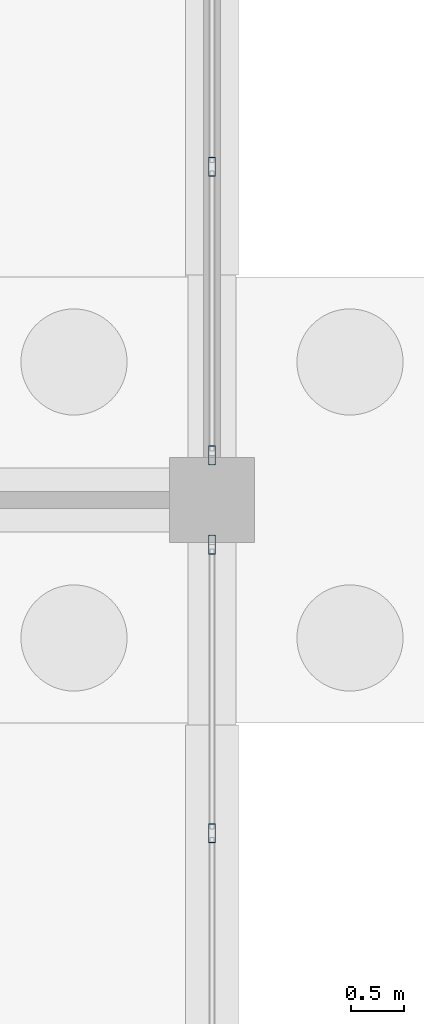
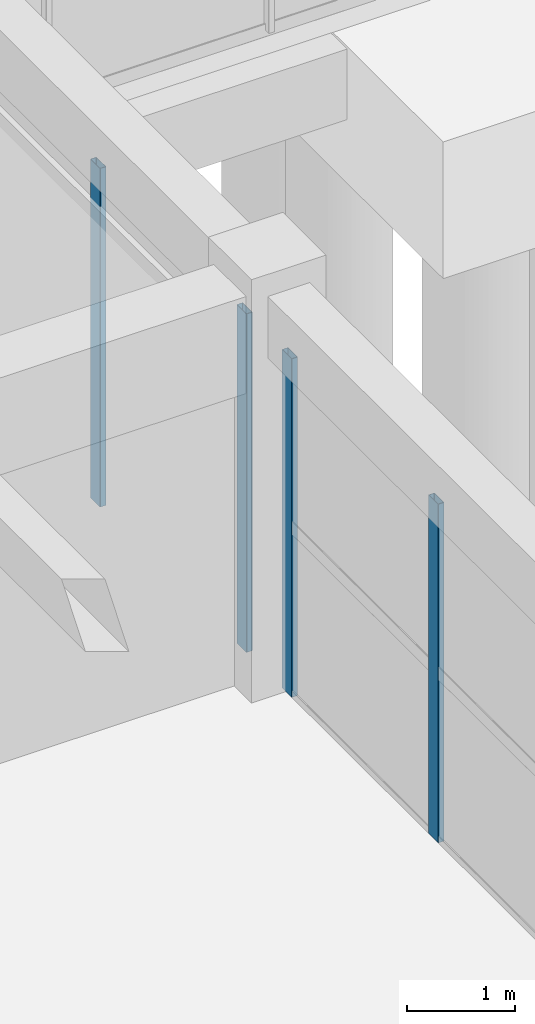
# One storey, part 35 of 147: 4 members, 2 elements without a shape of their own.
"""IFC4 building model written with IfcOpenShell, lengths in metres."""

import ifcopenshell
import ifcopenshell.guid

model = None  # the IFC model being written
_history = None  # IfcOwnerHistory: only IFC2X3 demands one
_inside = {}  # id of a spatial element -> (the spatial element, [elements in it])
_under = {}  # id of a project, library or spatial element -> (it, [spatial elements below it])
_declared = {}  # id of a project -> (the project, [libraries it declares])
_typed = {}  # id of a type object -> (the type object, [elements of that type])
_made_of = {}  # id of a material, layer set ... -> (it, [elements and type objects made of it])


def new_model(schema):
    """Start an empty IFC model of exactly this schema.

    Asked for "IFC4X3", IfcOpenShell would pick the latest addendum, in which some entities
    have other attributes; the version numbers below select the first issue.
    IFC2X3 requires an IfcOwnerHistory on every rooted entity: one is made here for all.
    """
    global model, _history
    if schema == "IFC4X3":
        model = ifcopenshell.file(schema_version=(4, 3, 0, 0))
    else:
        model = ifcopenshell.file(schema=schema)
    _inside.clear()
    _under.clear()
    _declared.clear()
    _typed.clear()
    _made_of.clear()
    _history = None
    if model.schema == "IFC2X3":
        org = make("IfcOrganization", Name="unknown")
        user = make(
            "IfcPersonAndOrganization",
            ThePerson=make("IfcPerson", FamilyName="unknown"),
            TheOrganization=org,
        )
        app = make(
            "IfcApplication",
            ApplicationDeveloper=org,
            Version="unknown",
            ApplicationFullName="unknown",
            ApplicationIdentifier="unknown",
        )
        _history = make(
            "IfcOwnerHistory",
            OwningUser=user,
            OwningApplication=app,
            ChangeAction="ADDED",
            CreationDate=0,
        )
    return model


def make(cls, **values):
    """One entity of the class cls with the attributes given. An attribute that is None is left unset."""
    return model.create_entity(
        cls, **{name: value for name, value in values.items() if value is not None}
    )


def rooted(cls, **values):
    """An entity with a GlobalId (a new one), such as an element, a storey or a relation."""
    return make(cls, GlobalId=ifcopenshell.guid.new(), OwnerHistory=_history, **values)


def si_unit(unit_type, name, prefix=None):
    """IfcSIUnit, for example si_unit("LENGTHUNIT", "METRE", prefix="MILLI")."""
    return make("IfcSIUnit", UnitType=unit_type, Prefix=prefix, Name=name)


def assignment(units):
    """IfcUnitAssignment: the units of a project."""
    return None if units is None else make("IfcUnitAssignment", Units=units)


def point(xyz):
    """IfcCartesianPoint."""
    return None if xyz is None else make("IfcCartesianPoint", Coordinates=xyz)


def direction(xyz):
    """IfcDirection."""
    return None if xyz is None else make("IfcDirection", DirectionRatios=xyz)


def frame(location, z_axis=None, x_axis=None):
    """IfcAxis2Placement3D, a coordinate frame: its origin and axes. An axis left out is left unset."""
    return make(
        "IfcAxis2Placement3D",
        Location=point(location),
        Axis=direction(z_axis),
        RefDirection=direction(x_axis),
    )


def frame_2d(location, x_axis=None):
    """IfcAxis2Placement2D, a coordinate frame in the plane: its origin and x axis."""
    return make(
        "IfcAxis2Placement2D", Location=point(location), RefDirection=direction(x_axis)
    )


def origin():
    """The frame at (0, 0, 0) with its axes left unset."""
    return frame((0.0, 0.0, 0.0))


def origin_2d():
    """The frame at (0, 0) in the plane with its x axis left unset."""
    return frame_2d((0.0, 0.0))


def place(relative_to, where):
    """IfcLocalPlacement: puts the frame where relative to a parent placement (None: the world)."""
    return make(
        "IfcLocalPlacement", PlacementRelTo=relative_to, RelativePlacement=where
    )


def context(
    kind, dimensions, precision=None, world=None, true_north=None, identifier=None
):
    """IfcGeometricRepresentationContext, for example the 3D "Model" context."""
    return make(
        "IfcGeometricRepresentationContext",
        ContextIdentifier=identifier,
        ContextType=kind,
        CoordinateSpaceDimension=dimensions,
        Precision=precision,
        WorldCoordinateSystem=world,
        TrueNorth=true_north,
    )


def subcontext(parent, identifier, kind, view, scale=None):
    """IfcGeometricRepresentationSubContext, for example "Body" below "Model"."""
    return make(
        "IfcGeometricRepresentationSubContext",
        ContextIdentifier=identifier,
        ContextType=kind,
        ParentContext=parent,
        TargetScale=scale,
        TargetView=view,
    )


def project(units=None, contexts=None):
    """IfcProject with its units and contexts."""
    return rooted(
        "IfcProject",
        Name="project",
        RepresentationContexts=contexts,
        UnitsInContext=assignment(units),
    )


def spatial(cls, under=None, at=None, **own):
    """A site, building, storey or space (cls), placed at a placement, below another one or the project."""
    s = rooted(cls, ObjectPlacement=at, **own)
    if under is not None:
        _under.setdefault(under.id(), (under, []))[1].append(s)
    return s


def profile(cls, at=None, kind="AREA", **sizes):
    """A parametric profile (cls). Its sizes go by their IFC names, for example OverallWidth=200.0."""
    return make(cls, ProfileType=kind, Position=at, **sizes)


def hollow_rectangle(**sizes):
    """IfcRectangleHollowProfileDef."""
    return profile("IfcRectangleHollowProfileDef", **sizes)


def extrude(swept, where, along, depth):
    """IfcExtrudedAreaSolid: the profile swept, set in the frame where, extruded along a direction by depth."""
    return make(
        "IfcExtrudedAreaSolid",
        SweptArea=swept,
        Position=where,
        ExtrudedDirection=direction(along),
        Depth=depth,
    )


def shape(context_of_items, identifier, shape_type, items):
    """IfcShapeRepresentation: the items that make up one representation, for example the "Body"."""
    return make(
        "IfcShapeRepresentation",
        ContextOfItems=context_of_items,
        RepresentationIdentifier=identifier,
        RepresentationType=shape_type,
        Items=items,
    )


def material(Name=None, Category=None):
    """IfcMaterial."""
    return make("IfcMaterial", Name=Name, Category=Category)


def material_profile(
    of_material, cross_section, Name=None, Category=None, Priority=None
):
    """IfcMaterialProfile: a cross section and its material."""
    return make(
        "IfcMaterialProfile",
        Name=Name,
        Material=of_material,
        Profile=cross_section,
        Priority=Priority,
        Category=Category,
    )


def profile_set(profiles, Name=None, composite=None):
    """IfcMaterialProfileSet."""
    return make(
        "IfcMaterialProfileSet",
        Name=Name,
        MaterialProfiles=profiles,
        CompositeProfile=composite,
    )


def made_of(thing, what):
    """Note that an element or type object is made of a material, layer set ...; save() writes the relation."""
    if what is not None:
        _made_of.setdefault(what.id(), (what, []))[1].append(thing)
    return thing


def type_object(cls, material=None, **own):
    """A type object (cls), such as IfcWallType, which elements share."""
    return made_of(rooted(cls, **own), material)


def element(
    cls,
    number,
    at=None,
    inside=None,
    cuts=None,
    type_object=None,
    material=None,
    context=None,
    identifier="Body",
    shape_type=None,
    held_by="IfcProductDefinitionShape",
    body=None,
    shapes=None,
    **own,
):
    """One element of the class cls, such as IfcWall. Its Tag is "e" and its number.

    at: its placement. inside: the storey or other place that contains it. cuts: it is an
    opening in that element (IfcRelVoidsElement). A single representation is given by context,
    identifier, shape_type and body (its items); several are given by shapes. held_by: the class
    of the entity that holds the representations. save() writes the other relations.
    """
    e = rooted(cls, Tag="e%d" % number, ObjectPlacement=at, **own)
    if body is not None:
        shapes = [shape(context, identifier, shape_type, body)]
    if shapes is not None:
        e.Representation = make(held_by, Representations=shapes)
    if inside is not None:
        _inside.setdefault(inside.id(), (inside, []))[1].append(e)
    if cuts is not None:
        rooted(
            "IfcRelVoidsElement", RelatingBuildingElement=cuts, RelatedOpeningElement=e
        )
    if type_object is not None:
        _typed.setdefault(type_object.id(), (type_object, []))[1].append(e)
    return made_of(e, material)


def aggregate(whole, parts):
    """IfcRelAggregates: a whole, such as a stair, and the parts it consists of."""
    return rooted("IfcRelAggregates", RelatingObject=whole, RelatedObjects=parts)


def save(model, path):
    """Write the relations noted so far, then the file.

    IfcRelAggregates (storeys below a building ...), IfcRelContainedInSpatialStructure (elements
    in a storey), IfcRelDefinesByType, IfcRelAssociatesMaterial and IfcRelDeclares: one each for
    every whole, place, type object, material and project.
    """
    for whole, parts in _under.values():
        aggregate(whole, parts)
    for where, things in _inside.values():
        rooted(
            "IfcRelContainedInSpatialStructure",
            RelatedElements=things,
            RelatingStructure=where,
        )
    for kind, things in _typed.values():
        rooted("IfcRelDefinesByType", RelatedObjects=things, RelatingType=kind)
    for what, things in _made_of.values():
        rooted("IfcRelAssociatesMaterial", RelatedObjects=things, RelatingMaterial=what)
    for by, libraries in _declared.values():
        rooted("IfcRelDeclares", RelatingContext=by, RelatedDefinitions=libraries)
    model.write(path)


model = new_model("IFC4")

# Units and contexts
model_context = context("Model", 3, precision=1e-05, world=origin(), true_north=direction((0.0, 1.0)))
body_context = subcontext(model_context, "Body", "Model", "MODEL_VIEW")
ifc_project = project(units=[si_unit("LENGTHUNIT", "METRE"), si_unit("AREAUNIT", "SQUARE_METRE"), si_unit("VOLUMEUNIT", "CUBIC_METRE"), si_unit("PLANEANGLEUNIT", "RADIAN"), si_unit("MASSUNIT", "GRAM", prefix="KILO")], contexts=[model_context])

# Site, building, storey
site_placement = place(None, origin())
site = spatial("IfcSite", under=ifc_project, at=site_placement, CompositionType="ELEMENT")
building_placement = place(site_placement, origin())
building = spatial("IfcBuilding", under=site, at=building_placement, Name="Varnabhumi Central Station", CompositionType="ELEMENT")
storey_placement = place(building_placement, origin())
storey = spatial("IfcBuildingStorey", under=building, at=storey_placement, Name="L00", CompositionType="ELEMENT", Elevation=0.0)

# Curtain wall, members
ifc_material = material(Name="Anodised aluminium 6063-T6", Category="aluminium")
curtain_wall_type = type_object("IfcCurtainWallType", Name="CW-PATIO-LOGGIA-L0", PredefinedType="NOTDEFINED", material=ifc_material)
curtain_wall_1_placement = place(storey_placement, origin())
curtain_wall_1 = element("IfcCurtainWall", 1, at=curtain_wall_1_placement, inside=storey, type_object=curtain_wall_type, Name="Curtain Wall CW-SP0E1", PredefinedType="NOTDEFINED")
ifc_material_profile = material_profile(ifc_material, hollow_rectangle(XDim=0.06494140625, YDim=0.179931640625, WallThickness=0.00390625, InnerFilletRadius=0.001953125, OuterFilletRadius=0.006103515625, at=origin_2d()), Name="Anodised aluminium 6063-T6", Category="aluminium")
ifc_profile_set = profile_set([ifc_material_profile], Name="Anodised aluminium 6063-T6")
member_type = type_object("IfcMemberType", Name="CW-MUL-180", PredefinedType="MULLION", material=ifc_profile_set)
member_1_placement = place(storey_placement, frame((112.0, 14.860107421875, 0.0), z_axis=(0.0, 0.0, 1.0), x_axis=(1.0, 0.0, 0.0)))
member_1 = element("IfcMember", 2, at=member_1_placement, type_object=member_type, Name="Curtain Wall Mullion CW-SP0E1-M3", PredefinedType="MULLION", context=body_context, shape_type="SweptSolid", body=[
    extrude(hollow_rectangle(XDim=0.06494140625, YDim=0.179931640625, WallThickness=0.00390625, InnerFilletRadius=0.001953125, OuterFilletRadius=0.006103515625, at=origin_2d()), origin(), (0.0, 0.0, 1.0), 3.840087890625),
])
member_2_placement = place(storey_placement, frame((112.0, 17.580078125, 0.0), z_axis=(0.0, 0.0, 1.0), x_axis=(1.0, 0.0, 0.0)))
member_2 = element("IfcMember", 3, at=member_2_placement, type_object=member_type, Name="Curtain Wall Mullion CW-SP0E1-M4", PredefinedType="MULLION", context=body_context, shape_type="SweptSolid", body=[
    extrude(hollow_rectangle(XDim=0.06494140625, YDim=0.179931640625, WallThickness=0.00390625, InnerFilletRadius=0.001953125, OuterFilletRadius=0.006103515625, at=origin_2d()), origin(), (0.0, 0.0, 1.0), 3.840087890625),
])
aggregate(curtain_wall_1, [member_1, member_2])

curtain_wall_2_placement = place(storey_placement, origin())
curtain_wall_2 = element("IfcCurtainWall", 4, at=curtain_wall_2_placement, inside=storey, type_object=curtain_wall_type, Name="Curtain Wall CW-SP0E2", PredefinedType="NOTDEFINED")
member_3_placement = place(storey_placement, frame((112.0, 18.419921875, 0.0), z_axis=(0.0, 0.0, 1.0), x_axis=(1.0, 0.0, 0.0)))
member_3 = element("IfcMember", 5, at=member_3_placement, type_object=member_type, Name="Curtain Wall Mullion CW-SP0E2-M1", PredefinedType="MULLION", context=body_context, shape_type="SweptSolid", body=[
    extrude(hollow_rectangle(XDim=0.06494140625, YDim=0.179931640625, WallThickness=0.00390625, InnerFilletRadius=0.001953125, OuterFilletRadius=0.006103515625, at=origin_2d()), origin(), (0.0, 0.0, 1.0), 3.840087890625),
])
member_4_placement = place(storey_placement, frame((112.0, 21.139892578125, 0.0), z_axis=(0.0, 0.0, 1.0), x_axis=(1.0, 0.0, 0.0)))
member_4 = element("IfcMember", 6, at=member_4_placement, type_object=member_type, Name="Curtain Wall Mullion CW-SP0E2-M2", PredefinedType="MULLION", context=body_context, shape_type="SweptSolid", body=[
    extrude(hollow_rectangle(XDim=0.06494140625, YDim=0.179931640625, WallThickness=0.00390625, InnerFilletRadius=0.001953125, OuterFilletRadius=0.006103515625, at=origin_2d()), origin(), (0.0, 0.0, 1.0), 3.840087890625),
])
aggregate(curtain_wall_2, [member_3, member_4])

save(model, "model.ifc")
